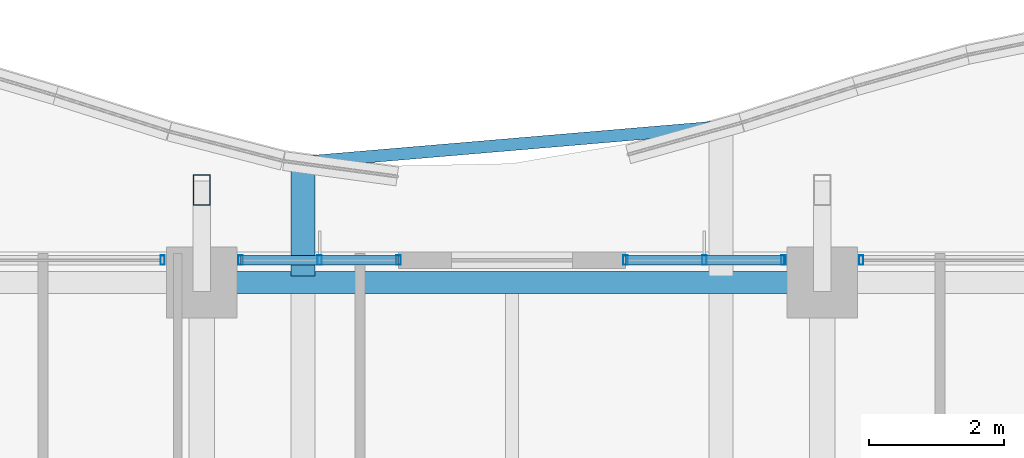
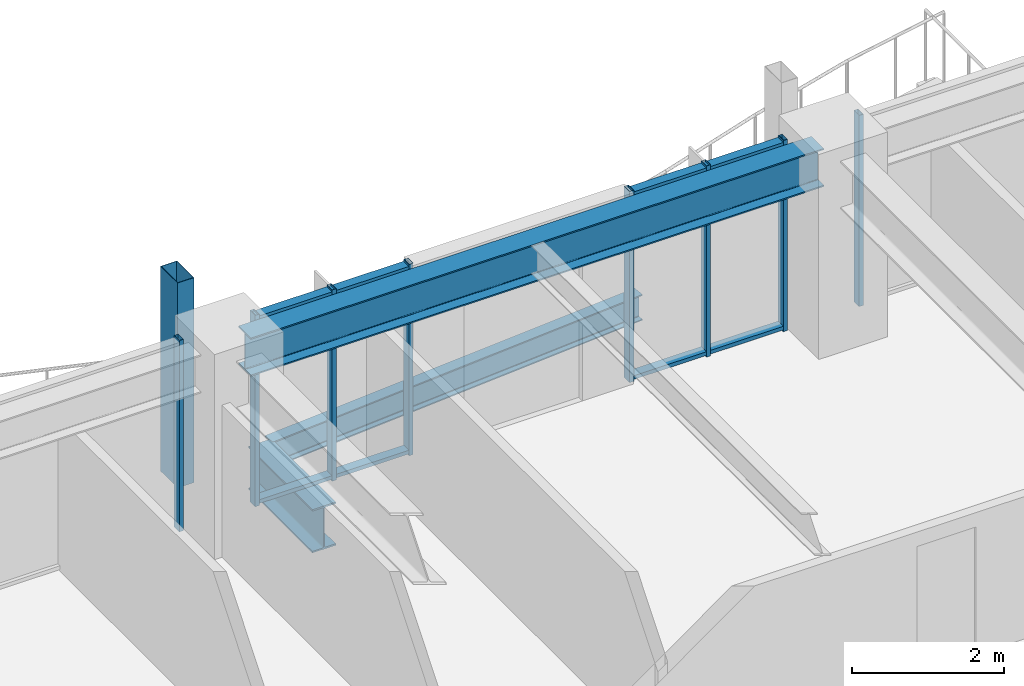
# One storey, part 22 of 38: 13 members, 3 beams, 4 elements without a shape of their own.
"""IFC4 building model written with IfcOpenShell, lengths in metres."""

from ifc_helpers import new_model, si_unit, direction, frame, origin, origin_2d, place, context, subcontext, project, spatial, hollow_rectangle, i_section, extrude, material, material_profile, profile_set, type_object, element, aggregate, save


model = new_model("IFC4")

# Units and contexts
model_context = context("Model", 3, precision=1e-05, world=origin(), true_north=direction((0.0, 1.0)))
body_context = subcontext(model_context, "Body", "Model", "MODEL_VIEW")
ifc_project = project(units=[si_unit("LENGTHUNIT", "METRE"), si_unit("AREAUNIT", "SQUARE_METRE"), si_unit("VOLUMEUNIT", "CUBIC_METRE"), si_unit("PLANEANGLEUNIT", "RADIAN"), si_unit("MASSUNIT", "GRAM", prefix="KILO")], contexts=[model_context])

# Site, building, storey
site_placement = place(None, origin())
site = spatial("IfcSite", under=ifc_project, at=site_placement, CompositionType="ELEMENT")
building_placement = place(site_placement, origin())
building = spatial("IfcBuilding", under=site, at=building_placement, Name="Kolvaren Belvedere", CompositionType="ELEMENT")
storey_placement = place(building_placement, frame((0.0, 0.0, 78.800048828125)))
storey = spatial("IfcBuildingStorey", under=building, at=storey_placement, Name="L22", CompositionType="ELEMENT", Elevation=78.800048828125)

# Beams
ifc_material_1 = material(Name="Structural steel ASTM A992 Grade 50", Category="steel")
ifc_material_profile_1 = material_profile(ifc_material_1, i_section(OverallWidth=0.35498046875, OverallDepth=0.696044921875, WebThickness=0.015380859375, FlangeThickness=0.02490234375, FilletRadius=0.02197265625, at=origin_2d()), Name="W27X146")
ifc_profile_set_1 = profile_set([ifc_material_profile_1], Name="Structural steel ASTM A992 Grade 50")
beam_type_1 = type_object("IfcBeamType", Name="BM-CANT-BAL", PredefinedType="BEAM", material=ifc_profile_set_1)
beam_1_placement = place(storey_placement, frame((-3.10009765625, 20.044921875, -0.568115234375), z_axis=(0.0, 1.0, 0.0), x_axis=(-1.0, 0.0, 0.0)))
element("IfcBeam", 1, at=beam_1_placement, inside=storey, type_object=beam_type_1, Name="L22 Planted Balcony Cantilever BAL-N-1", PredefinedType="BEAM", context=body_context, shape_type="SweptSolid", body=[
    extrude(i_section(OverallWidth=0.35498046875, OverallDepth=0.696044921875, WebThickness=0.015380859375, FlangeThickness=0.02490234375, FilletRadius=0.02197265625, at=origin_2d()), origin(), (0.0, 0.0, 1.0), 1.6875),
])
ifc_material_2 = material(Name="Structural steel ASTM A992 Grade 50", Category="steel")
ifc_material_profile_2 = material_profile(ifc_material_2, i_section(OverallWidth=0.180908203125, OverallDepth=0.4169921875, WebThickness=0.010986328125, FlangeThickness=0.018310546875, FilletRadius=0.013916015625, at=origin_2d()), Name="W16X57")
ifc_profile_set_2 = profile_set([ifc_material_profile_2], Name="Structural steel ASTM A992 Grade 50")
beam_type_2 = type_object("IfcBeamType", Name="BM-EDGE-W16X57", PredefinedType="BEAM", material=ifc_profile_set_2)
beam_2_placement = place(storey_placement, frame((-2.96044921875, 21.744140625, -0.428466796875), z_axis=(0.996415343973, 0.08459587635, 0.0), x_axis=(-0.08459587635, 0.996415343973, 0.0)))
element("IfcBeam", 2, at=beam_2_placement, inside=storey, type_object=beam_type_2, Name="L22 Balcony Tip Header Beam BAL-N", PredefinedType="BEAM", context=body_context, shape_type="SweptSolid", body=[
    extrude(i_section(OverallWidth=0.180908203125, OverallDepth=0.4169921875, WebThickness=0.010986328125, FlangeThickness=0.018310546875, FilletRadius=0.013916015625, at=origin_2d()), origin(), (0.0, 0.0, 1.0), 5.942138671875),
])
ifc_material_3 = material(Name="Structural steel ASTM A992 Grade 50", Category="steel")
ifc_material_profile_3 = material_profile(ifc_material_3, i_section(OverallWidth=0.324951171875, OverallDepth=0.615966796875, WebThickness=0.013916015625, FlangeThickness=0.021484375, FilletRadius=0.02001953125, at=origin_2d()), Name="W24X117")
ifc_profile_set_3 = profile_set([ifc_material_profile_3], Name="Structural steel ASTM A992 Grade 50")
beam_type_3 = type_object("IfcBeamType", Name="BM-SPAN-W24X117", PredefinedType="SPANDREL", material=ifc_profile_set_3)
beam_3_placement = place(storey_placement, frame((4.36376953125, 19.949951171875, 2.77197265625), z_axis=(-1.0, 0.0, 0.0), x_axis=(0.0, -1.0, 0.0)))
element("IfcBeam", 3, at=beam_3_placement, inside=storey, type_object=beam_type_3, Name="L22 Perimeter Spandrel N3-N2", PredefinedType="SPANDREL", context=body_context, shape_type="SweptSolid", body=[
    extrude(i_section(OverallWidth=0.324951171875, OverallDepth=0.615966796875, WebThickness=0.013916015625, FlangeThickness=0.021484375, FilletRadius=0.02001953125, at=origin_2d()), origin(), (0.0, 0.0, 1.0), 8.7275390625),
])

# Curtain wall, member
ifc_material_4 = material(Name="Anodised pale-metal aluminium AA 6063-T6", Category="aluminium")
curtain_wall_type = type_object("IfcCurtainWallType", Name="CW-Z2-MID", PredefinedType="NOTDEFINED", material=ifc_material_4)
curtain_wall_1_placement = place(storey_placement, origin())
curtain_wall_1 = element("IfcCurtainWall", 4, at=curtain_wall_1_placement, inside=storey, type_object=curtain_wall_type, Name="L22 Unitised Curtain Wall FCW-L22-N1-B1", PredefinedType="NOTDEFINED")
ifc_material_5 = material(Name="Anodised pale-metal aluminium AA 6063-T6", Category="aluminium")
ifc_material_profile_4 = material_profile(ifc_material_5, hollow_rectangle(XDim=0.06494140625, YDim=0.139892578125, WallThickness=0.00390625, at=origin_2d()), Name="ALU-MUL-140X65")
ifc_profile_set_4 = profile_set([ifc_material_profile_4], Name="Anodised pale-metal aluminium AA 6063-T6")
member_type_1 = type_object("IfcMemberType", Name="CW-MUL-140", PredefinedType="MULLION", material=ifc_profile_set_4)
member_1_placement = place(storey_placement, frame((-5.177490234375, 20.280029296875, 0.0), z_axis=(0.0, 0.0, 1.0), x_axis=(1.0, 0.0, 0.0)))
member_1 = element("IfcMember", 5, at=member_1_placement, type_object=member_type_1, Name="FCW-L22-N1-B1 Unitised Mullion 3", PredefinedType="MULLION", context=body_context, shape_type="SweptSolid", body=[
    extrude(hollow_rectangle(XDim=0.06494140625, YDim=0.139892578125, WallThickness=0.00390625, at=origin_2d()), origin(), (0.0, 0.0, 1.0), 3.079833984375),
])
aggregate(curtain_wall_1, [member_1])

# Curtain wall, members
curtain_wall_2_placement = place(storey_placement, origin())
curtain_wall_2 = element("IfcCurtainWall", 6, at=curtain_wall_2_placement, inside=storey, type_object=curtain_wall_type, Name="L22 Unitised Curtain Wall FCW-L22-N1-B2", PredefinedType="NOTDEFINED")
member_2_placement = place(storey_placement, frame((-4.0224609375, 20.280029296875, 0.0), z_axis=(0.0, 0.0, 1.0), x_axis=(1.0, 0.0, 0.0)))
member_2 = element("IfcMember", 7, at=member_2_placement, type_object=member_type_1, Name="FCW-L22-N1-B2 Unitised Mullion 1", PredefinedType="MULLION", context=body_context, shape_type="SweptSolid", body=[
    extrude(hollow_rectangle(XDim=0.06494140625, YDim=0.139892578125, WallThickness=0.00390625, at=origin_2d()), origin(), (0.0, 0.0, 1.0), 3.079833984375),
])
member_3_placement = place(storey_placement, frame((-2.851318359375, 20.280029296875, 0.0), z_axis=(0.0, 0.0, 1.0), x_axis=(1.0, 0.0, 0.0)))
member_3 = element("IfcMember", 8, at=member_3_placement, type_object=member_type_1, Name="FCW-L22-N1-B2 Unitised Mullion 2", PredefinedType="MULLION", context=body_context, shape_type="SweptSolid", body=[
    extrude(hollow_rectangle(XDim=0.06494140625, YDim=0.139892578125, WallThickness=0.00390625, at=origin_2d()), origin(), (0.0, 0.0, 1.0), 3.079833984375),
])
member_4_placement = place(storey_placement, frame((-1.679931640625, 20.280029296875, 0.0), z_axis=(0.0, 0.0, 1.0), x_axis=(1.0, 0.0, 0.0)))
member_4 = element("IfcMember", 9, at=member_4_placement, type_object=member_type_1, Name="FCW-L22-N1-B2 Unitised Mullion 3", PredefinedType="MULLION", context=body_context, shape_type="SweptSolid", body=[
    extrude(hollow_rectangle(XDim=0.06494140625, YDim=0.139892578125, WallThickness=0.00390625, at=origin_2d()), origin(), (0.0, 0.0, 1.0), 3.079833984375),
])

curtain_wall_3_placement = place(storey_placement, origin())
curtain_wall_3 = element("IfcCurtainWall", 10, at=curtain_wall_3_placement, inside=storey, type_object=curtain_wall_type, Name="L22 Unitised Curtain Wall FCW-L22-N2-B1", PredefinedType="NOTDEFINED")
member_5_placement = place(storey_placement, frame((1.679931640625, 20.280029296875, 0.0), z_axis=(0.0, 0.0, 1.0), x_axis=(1.0, 0.0, 0.0)))
member_5 = element("IfcMember", 11, at=member_5_placement, type_object=member_type_1, Name="FCW-L22-N2-B1 Unitised Mullion 1", PredefinedType="MULLION", context=body_context, shape_type="SweptSolid", body=[
    extrude(hollow_rectangle(XDim=0.06494140625, YDim=0.139892578125, WallThickness=0.00390625, at=origin_2d()), origin(), (0.0, 0.0, 1.0), 3.079833984375),
])
member_6_placement = place(storey_placement, frame((2.851318359375, 20.280029296875, 0.0), z_axis=(0.0, 0.0, 1.0), x_axis=(1.0, 0.0, 0.0)))
member_6 = element("IfcMember", 12, at=member_6_placement, type_object=member_type_1, Name="FCW-L22-N2-B1 Unitised Mullion 2", PredefinedType="MULLION", context=body_context, shape_type="SweptSolid", body=[
    extrude(hollow_rectangle(XDim=0.06494140625, YDim=0.139892578125, WallThickness=0.00390625, at=origin_2d()), origin(), (0.0, 0.0, 1.0), 3.079833984375),
])
member_7_placement = place(storey_placement, frame((4.0224609375, 20.280029296875, 0.0), z_axis=(0.0, 0.0, 1.0), x_axis=(1.0, 0.0, 0.0)))
member_7 = element("IfcMember", 13, at=member_7_placement, type_object=member_type_1, Name="FCW-L22-N2-B1 Unitised Mullion 3", PredefinedType="MULLION", context=body_context, shape_type="SweptSolid", body=[
    extrude(hollow_rectangle(XDim=0.06494140625, YDim=0.139892578125, WallThickness=0.00390625, at=origin_2d()), origin(), (0.0, 0.0, 1.0), 3.079833984375),
])

# Curtain wall, member
curtain_wall_4_placement = place(storey_placement, origin())
curtain_wall_4 = element("IfcCurtainWall", 14, at=curtain_wall_4_placement, inside=storey, type_object=curtain_wall_type, Name="L22 Unitised Curtain Wall FCW-L22-N2-B2", PredefinedType="NOTDEFINED")
member_8_placement = place(storey_placement, frame((5.177490234375, 20.280029296875, 0.0), z_axis=(0.0, 0.0, 1.0), x_axis=(1.0, 0.0, 0.0)))
member_8 = element("IfcMember", 15, at=member_8_placement, type_object=member_type_1, Name="FCW-L22-N2-B2 Unitised Mullion 1", PredefinedType="MULLION", context=body_context, shape_type="SweptSolid", body=[
    extrude(hollow_rectangle(XDim=0.06494140625, YDim=0.139892578125, WallThickness=0.00390625, at=origin_2d()), origin(), (0.0, 0.0, 1.0), 3.079833984375),
])
aggregate(curtain_wall_4, [member_8])

# Member
ifc_material_6 = material(Name="Anodised pale-metal aluminium AA 6063-T6", Category="aluminium")
ifc_material_profile_5 = material_profile(ifc_material_6, hollow_rectangle(XDim=0.06005859375, YDim=0.139892578125, WallThickness=0.00390625, at=origin_2d()), Name="ALU-TRN-140X60")
ifc_profile_set_5 = profile_set([ifc_material_profile_5], Name="Anodised pale-metal aluminium AA 6063-T6")
member_type_2 = type_object("IfcMemberType", Name="CW-TRN-140", PredefinedType="USERDEFINED", material=ifc_profile_set_5)
member_9_placement = place(storey_placement, frame((-4.0224609375, 20.280029296875, 0.06005859375), z_axis=(1.0, 0.0, 0.0), x_axis=(0.0, 0.0, 1.0)))
member_9 = element("IfcMember", 16, at=member_9_placement, type_object=member_type_2, Name="FCW-L22-N1-B2 Sill Transom", ObjectType="TRANSOM", PredefinedType="USERDEFINED", context=body_context, shape_type="SweptSolid", body=[
    extrude(hollow_rectangle(XDim=0.06005859375, YDim=0.139892578125, WallThickness=0.00390625, at=origin_2d()), origin(), (0.0, 0.0, 1.0), 2.342529296875),
])

member_10_placement = place(storey_placement, frame((-4.0224609375, 20.280029296875, 3.02001953125), z_axis=(1.0, 0.0, 0.0), x_axis=(0.0, 0.0, 1.0)))
member_10 = element("IfcMember", 17, at=member_10_placement, type_object=member_type_2, Name="FCW-L22-N1-B2 Head Transom", ObjectType="TRANSOM", PredefinedType="USERDEFINED", context=body_context, shape_type="SweptSolid", body=[
    extrude(hollow_rectangle(XDim=0.06005859375, YDim=0.139892578125, WallThickness=0.00390625, at=origin_2d()), origin(), (0.0, 0.0, 1.0), 2.342529296875),
])

aggregate(curtain_wall_2, [member_2, member_3, member_4, member_9, member_10])

member_11_placement = place(storey_placement, frame((1.679931640625, 20.280029296875, 0.06005859375), z_axis=(1.0, 0.0, 0.0), x_axis=(0.0, 0.0, 1.0)))
member_11 = element("IfcMember", 18, at=member_11_placement, type_object=member_type_2, Name="FCW-L22-N2-B1 Sill Transom", ObjectType="TRANSOM", PredefinedType="USERDEFINED", context=body_context, shape_type="SweptSolid", body=[
    extrude(hollow_rectangle(XDim=0.06005859375, YDim=0.139892578125, WallThickness=0.00390625, at=origin_2d()), origin(), (0.0, 0.0, 1.0), 2.342529296875),
])

member_12_placement = place(storey_placement, frame((1.679931640625, 20.280029296875, 3.02001953125), z_axis=(1.0, 0.0, 0.0), x_axis=(0.0, 0.0, 1.0)))
member_12 = element("IfcMember", 19, at=member_12_placement, type_object=member_type_2, Name="FCW-L22-N2-B1 Head Transom", ObjectType="TRANSOM", PredefinedType="USERDEFINED", context=body_context, shape_type="SweptSolid", body=[
    extrude(hollow_rectangle(XDim=0.06005859375, YDim=0.139892578125, WallThickness=0.00390625, at=origin_2d()), origin(), (0.0, 0.0, 1.0), 2.342529296875),
])

aggregate(curtain_wall_3, [member_5, member_6, member_7, member_11, member_12])

ifc_material_7 = material(Name="Anodised pale-metal aluminium AA 6063-T6", Category="aluminium")
ifc_material_profile_6 = material_profile(ifc_material_7, hollow_rectangle(XDim=0.25, YDim=0.449951171875, WallThickness=0.008544921875, at=origin_2d()), Name="ALU-PF-450X250")
ifc_profile_set_6 = profile_set([ifc_material_profile_6], Name="Anodised pale-metal aluminium AA 6063-T6")
member_type_3 = type_object("IfcMemberType", Name="PF-FRAME-450", PredefinedType="USERDEFINED", material=ifc_profile_set_6)
member_13_placement = place(storey_placement, frame((-4.60009765625, 21.320068359375, 0.0), z_axis=(0.0, 0.0, 1.0), x_axis=(1.0, 0.0, 0.0)))
element("IfcMember", 20, at=member_13_placement, inside=storey, type_object=member_type_3, Name="L22 Outboard Picture-Frame Vertical N1", ObjectType="PICTURE FRAME FIN", PredefinedType="USERDEFINED", context=body_context, shape_type="SweptSolid", body=[
    extrude(hollow_rectangle(XDim=0.25, YDim=0.449951171875, WallThickness=0.008544921875, at=origin_2d()), origin(), (0.0, 0.0, 1.0), 3.300048828125),
])

save(model, "model.ifc")
